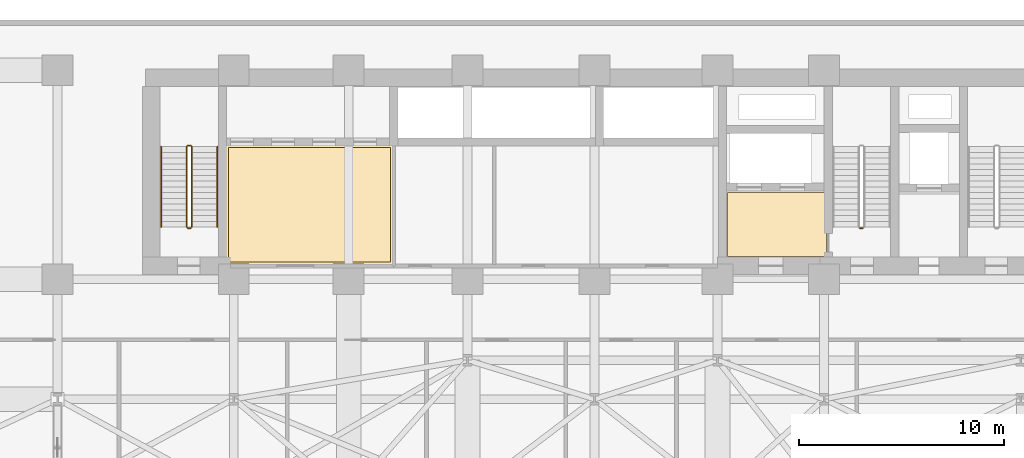
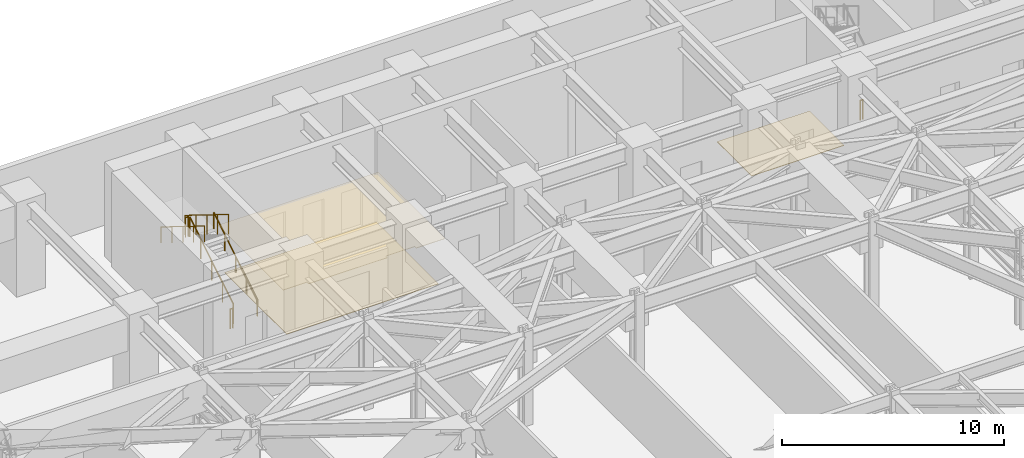
# One storey, part 11 of 14: 7 railings, 3 coverings.
"""IFC4 building model written with IfcOpenShell, lengths in metres."""

from ifc_helpers import new_model, si_unit, direction, frame, origin, origin_2d, place, context, subcontext, project, spatial, polyline, circle, outline, extrude, material, layer, layer_set, type_object, element, save


model = new_model("IFC4")

# Units and contexts
model_context = context("Model", 3, precision=1e-05, world=origin(), true_north=direction((0.0, 1.0)))
body_context = subcontext(model_context, "Body", "Model", "MODEL_VIEW")
ifc_project = project(units=[si_unit("LENGTHUNIT", "METRE"), si_unit("AREAUNIT", "SQUARE_METRE"), si_unit("VOLUMEUNIT", "CUBIC_METRE"), si_unit("PLANEANGLEUNIT", "RADIAN"), si_unit("MASSUNIT", "GRAM", prefix="KILO")], contexts=[model_context])

# Site, building, storey
site_placement = place(None, origin())
site = spatial("IfcSite", under=ifc_project, at=site_placement, CompositionType="ELEMENT")
building_placement = place(site_placement, origin())
building = spatial("IfcBuilding", under=site, at=building_placement, Name="Kravanh Interchange Tower", CompositionType="ELEMENT")
storey_placement = place(building_placement, frame((0.0, 0.0, 24.300048828125)))
storey = spatial("IfcBuildingStorey", under=building, at=storey_placement, Name="L05", CompositionType="ELEMENT", Elevation=24.300048828125)

# Coverings
ifc_material_1 = material(Name="Cementitious Terrazzo Tile")
ifc_layer_1 = layer(ifc_material_1, 0.030029296875)
ifc_layer_set_1 = layer_set([ifc_layer_1], Name="Honed Terrazzo Lobby Flooring 30mm")
covering_type_1 = type_object("IfcCoveringType", Name="Honed Terrazzo Lobby Flooring 30mm", PredefinedType="FLOORING", material=ifc_layer_set_1)
covering_1_placement = place(storey_placement, origin())
element("IfcCovering", 1, at=covering_1_placement, inside=storey, type_object=covering_type_1, Name="L05 Firefighting Lobby Floor Finish", PredefinedType="FLOORING", context=body_context, shape_type="SweptSolid", body=[
    extrude(outline(polyline([(56.1201171875, 38.4599609375), (51.300048828125, 38.4599609375), (51.300048828125, 41.580078125), (56.1201171875, 41.580078125), (56.1201171875, 38.4599609375)])), origin(), (0.0, 0.0, 1.0), 0.030029296875),
])
covering_2_placement = place(storey_placement, origin())
element("IfcCovering", 2, at=covering_2_placement, inside=storey, type_object=covering_type_1, Name="L05 Low-Rise Lift Lobby Floor Finish", PredefinedType="FLOORING", context=body_context, shape_type="SweptSolid", body=[
    extrude(outline(polyline([(26.929931640625, 43.77001953125), (34.840087890625, 43.77001953125), (34.840087890625, 38.179931640625), (26.929931640625, 38.179931640625), (26.929931640625, 43.77001953125)])), origin(), (0.0, 0.0, 1.0), 0.030029296875),
])
ifc_material_2 = material(Name="Acoustic Mineral Fibre Tile on Aluminium Grid", Category="aluminium")
ifc_layer_2 = layer(ifc_material_2, 0.02490234375)
ifc_layer_set_2 = layer_set([ifc_layer_2], Name="Perforated Acoustic Mineral Ceiling 25mm")
covering_type_2 = type_object("IfcCoveringType", Name="Perforated Acoustic Mineral Ceiling 25mm", PredefinedType="CEILING", material=ifc_layer_set_2)
covering_3_placement = place(storey_placement, frame((0.0, 0.0, 2.550048828125)))
element("IfcCovering", 3, at=covering_3_placement, inside=storey, type_object=covering_type_2, Name="L05 Low-Rise Lift Lobby Suspended Ceiling", PredefinedType="CEILING", context=body_context, shape_type="SweptSolid", body=[
    extrude(outline(polyline([(35.06005859375, 37.9599609375), (33.550048828125, 37.9599609375), (33.550048828125, 38.10009765625), (32.050048828125, 38.10009765625), (32.050048828125, 37.9599609375), (27.949951171875, 37.9599609375), (27.949951171875, 38.10009765625), (26.7099609375, 38.10009765625), (26.7099609375, 43.989990234375), (35.06005859375, 43.989990234375), (35.06005859375, 37.9599609375)])), origin(), (0.0, 0.0, 1.0), 0.02490234375),
])

# Railings
ifc_material_3 = material(Name="Structural Steel S355", Category="steel")
ifc_layer_3 = layer(ifc_material_3, 0.050048828125)
ifc_layer_set_3 = layer_set([ifc_layer_3], Name="Stair Well Guardrail Structural Steel S355 1100mm")
railing_type_1 = type_object("IfcRailingType", Name="Stair Well Guardrail Structural Steel S355 1100mm", PredefinedType="GUARDRAIL", material=ifc_layer_set_3)
railing_1_placement = place(storey_placement, frame((57.89990234375, 39.85009765625, 0.0)))
element("IfcRailing", 4, at=railing_1_placement, inside=storey, type_object=railing_type_1, Name="L05 ST2 stair guard 4", PredefinedType="GUARDRAIL", context=body_context, shape_type="SweptSolid", body=[
    extrude(circle(Radius=0.02392578125, at=origin_2d()), frame((0.0, 0.0, 1.076171875), z_axis=(-1.0, 0.0, 0.0), x_axis=(0.0, -1.0, 0.0)), (0.0, 0.0, 1.0), 0.14990234375),
    extrude(circle(Radius=0.02099609375, at=origin_2d()), origin(), (0.0, 0.0, 1.0), 1.052001953125),
    extrude(circle(Radius=0.02099609375, at=origin_2d()), frame((-0.14990234375, 0.0, 0.0)), (0.0, 0.0, 1.0), 1.052001953125),
])
railing_2_placement = place(storey_placement, frame((25.14990234375, 39.89990234375, 0.17333984375)))
element("IfcRailing", 5, at=railing_2_placement, inside=storey, type_object=railing_type_1, Name="L05 ST3 stair guard 1", PredefinedType="GUARDRAIL", context=body_context, shape_type="SweptSolid", body=[
    extrude(circle(Radius=0.02392578125, at=origin_2d()), frame((0.0, 0.0, 1.076171875), z_axis=(0.0, 0.850289973577, 0.526314507528), x_axis=(-1.0, 0.0, 0.0)), (0.0, 0.0, 1.0), 4.6103515625),
    extrude(circle(Radius=0.02099609375, at=origin_2d()), origin(), (0.0, 0.0, 1.0), 1.052001953125),
    extrude(circle(Radius=0.02099609375, at=origin_2d()), frame((0.0, 0.97998046875, 0.606689453125)), (0.0, 0.0, 1.0), 1.052001953125),
    extrude(circle(Radius=0.02099609375, at=origin_2d()), frame((0.0, 1.9599609375, 1.21337890625)), (0.0, 0.0, 1.0), 1.052001953125),
    extrude(circle(Radius=0.02099609375, at=origin_2d()), frame((0.0, 2.940185546875, 1.81982421875)), (0.0, 0.0, 1.0), 1.052001953125),
    extrude(circle(Radius=0.02099609375, at=origin_2d()), frame((0.0, 3.920166015625, 2.426513671875)), (0.0, 0.0, 1.0), 1.052001953125),
])
railing_3_placement = place(storey_placement, frame((25.10009765625, 43.8701171875, 2.599853515625)))
element("IfcRailing", 6, at=railing_3_placement, inside=storey, type_object=railing_type_1, Name="L05 ST3 stair guard 2", PredefinedType="GUARDRAIL", context=body_context, shape_type="SweptSolid", body=[
    extrude(circle(Radius=0.02392578125, at=origin_2d()), frame((0.0, 0.0, 1.076171875), z_axis=(-1.0, 0.0, 0.0), x_axis=(0.0, -1.0, 0.0)), (0.0, 0.0, 1.0), 0.150146484375),
    extrude(circle(Radius=0.02099609375, at=origin_2d()), origin(), (0.0, 0.0, 1.0), 1.052001953125),
    extrude(circle(Radius=0.02099609375, at=origin_2d()), frame((-0.150146484375, 0.0, 0.0)), (0.0, 0.0, 1.0), 1.052001953125),
])
railing_4_placement = place(storey_placement, frame((24.89990234375, 43.820068359375, 2.773193359375)))
element("IfcRailing", 7, at=railing_4_placement, inside=storey, type_object=railing_type_1, Name="L05 ST3 stair guard 3", PredefinedType="GUARDRAIL", context=body_context, shape_type="SweptSolid", body=[
    extrude(circle(Radius=0.02392578125, at=origin_2d()), frame((0.0, 0.0, 1.076171875), z_axis=(0.0, -0.850266275192, 0.526352791643), x_axis=(1.0, 0.0, 0.0)), (0.0, 0.0, 1.0), 4.610595703125),
    extrude(circle(Radius=0.02099609375, at=origin_2d()), origin(), (0.0, 0.0, 1.0), 1.052001953125),
    extrude(circle(Radius=0.02099609375, at=origin_2d()), frame((0.0, -0.97998046875, 0.606689453125)), (0.0, 0.0, 1.0), 1.052001953125),
    extrude(circle(Radius=0.02099609375, at=origin_2d()), frame((0.0, -1.9599609375, 1.21337890625)), (0.0, 0.0, 1.0), 1.052001953125),
    extrude(circle(Radius=0.02099609375, at=origin_2d()), frame((0.0, -2.940185546875, 1.820068359375)), (0.0, 0.0, 1.0), 1.052001953125),
    extrude(circle(Radius=0.02099609375, at=origin_2d()), frame((0.0, -3.920166015625, 2.4267578125)), (0.0, 0.0, 1.0), 1.052001953125),
])
railing_5_placement = place(storey_placement, frame((25.10009765625, 39.85009765625, 0.0)))
element("IfcRailing", 8, at=railing_5_placement, inside=storey, type_object=railing_type_1, Name="L05 ST3 stair guard 4", PredefinedType="GUARDRAIL", context=body_context, shape_type="SweptSolid", body=[
    extrude(circle(Radius=0.02392578125, at=origin_2d()), frame((0.0, 0.0, 1.076171875), z_axis=(-1.0, 0.0, 0.0), x_axis=(0.0, -1.0, 0.0)), (0.0, 0.0, 1.0), 0.150146484375),
    extrude(circle(Radius=0.02099609375, at=origin_2d()), origin(), (0.0, 0.0, 1.0), 1.052001953125),
    extrude(circle(Radius=0.02099609375, at=origin_2d()), frame((-0.150146484375, 0.0, 0.0)), (0.0, 0.0, 1.0), 1.052001953125),
])
ifc_material_4 = material(Name="Stainless Steel 304", Category="steel")
ifc_layer_4 = layer(ifc_material_4, 0.044921875)
ifc_layer_set_4 = layer_set([ifc_layer_4], Name="Tubular Stair Handrail Stainless 304 900mm")
railing_type_2 = type_object("IfcRailingType", Name="Tubular Stair Handrail Stainless 304 900mm", PredefinedType="HANDRAIL", material=ifc_layer_set_4)
railing_6_placement = place(storey_placement, frame((26.39990234375, 39.89990234375, 0.17333984375)))
element("IfcRailing", 9, at=railing_6_placement, inside=storey, type_object=railing_type_2, Name="L05 ST3 stair handrail 1", PredefinedType="HANDRAIL", context=body_context, shape_type="SweptSolid", body=[
    extrude(circle(Radius=0.02392578125, at=origin_2d()), frame((0.0, 0.0, 0.8759765625), z_axis=(0.0, 0.850289973577, 0.526314507528), x_axis=(-1.0, 0.0, 0.0)), (0.0, 0.0, 1.0), 4.6103515625),
    extrude(circle(Radius=0.02099609375, at=origin_2d()), origin(), (0.0, 0.0, 1.0), 0.851806640625),
    extrude(circle(Radius=0.02099609375, at=origin_2d()), frame((0.0, 0.97998046875, 0.606689453125)), (0.0, 0.0, 1.0), 0.851806640625),
    extrude(circle(Radius=0.02099609375, at=origin_2d()), frame((0.0, 1.9599609375, 1.21337890625)), (0.0, 0.0, 1.0), 0.851806640625),
    extrude(circle(Radius=0.02099609375, at=origin_2d()), frame((0.0, 2.940185546875, 1.81982421875)), (0.0, 0.0, 1.0), 0.851806640625),
    extrude(circle(Radius=0.02099609375, at=origin_2d()), frame((0.0, 3.920166015625, 2.426513671875)), (0.0, 0.0, 1.0), 0.851806640625),
])
railing_7_placement = place(storey_placement, frame((23.64990234375, 43.820068359375, 2.773193359375)))
element("IfcRailing", 10, at=railing_7_placement, inside=storey, type_object=railing_type_2, Name="L05 ST3 stair handrail 2", PredefinedType="HANDRAIL", context=body_context, shape_type="SweptSolid", body=[
    extrude(circle(Radius=0.02392578125, at=origin_2d()), frame((0.0, 0.0, 0.8759765625), z_axis=(0.0, -0.850266275192, 0.526352791643), x_axis=(1.0, 0.0, 0.0)), (0.0, 0.0, 1.0), 4.610595703125),
    extrude(circle(Radius=0.02099609375, at=origin_2d()), origin(), (0.0, 0.0, 1.0), 0.851806640625),
    extrude(circle(Radius=0.02099609375, at=origin_2d()), frame((0.0, -0.97998046875, 0.606689453125)), (0.0, 0.0, 1.0), 0.851806640625),
    extrude(circle(Radius=0.02099609375, at=origin_2d()), frame((0.0, -1.9599609375, 1.21337890625)), (0.0, 0.0, 1.0), 0.851806640625),
    extrude(circle(Radius=0.02099609375, at=origin_2d()), frame((0.0, -2.940185546875, 1.820068359375)), (0.0, 0.0, 1.0), 0.851806640625),
    extrude(circle(Radius=0.02099609375, at=origin_2d()), frame((0.0, -3.920166015625, 2.4267578125)), (0.0, 0.0, 1.0), 0.851806640625),
])

save(model, "model.ifc")
